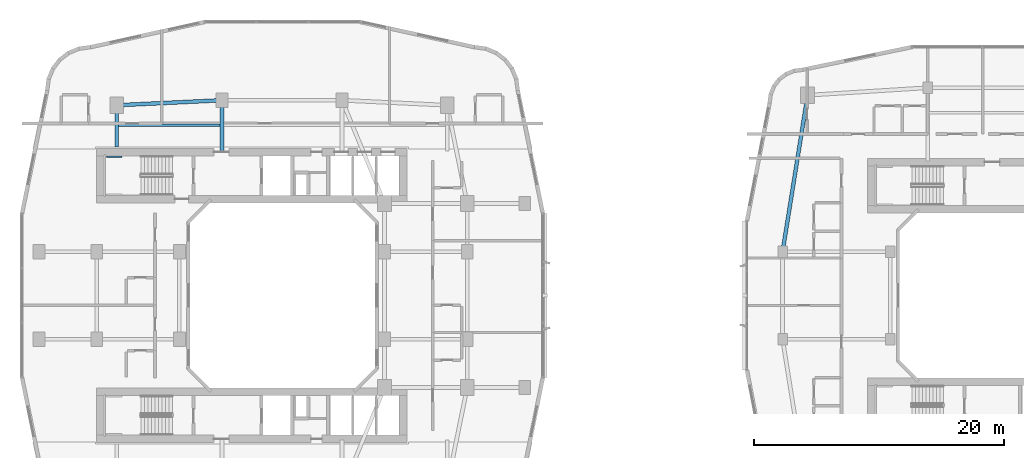
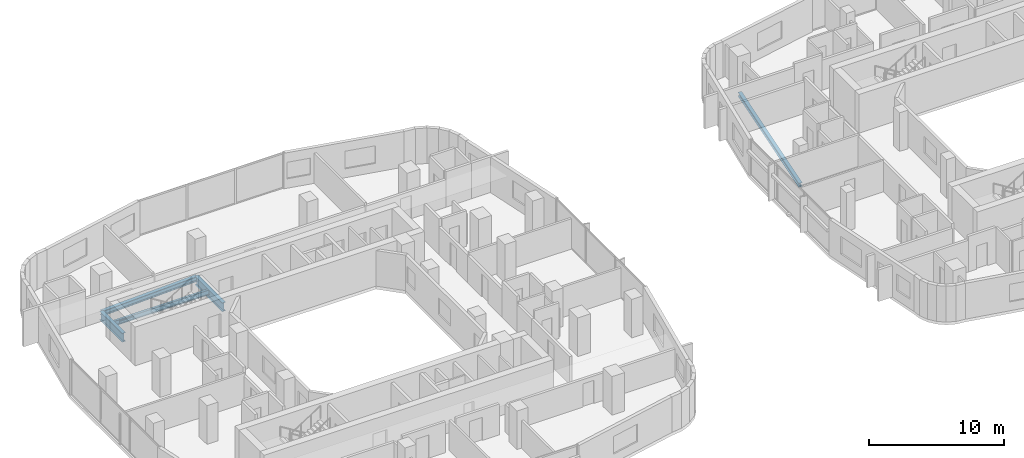
# One storey, part 6 of 26: 6 beams.
"""IFC4 building model written with IfcOpenShell, lengths in metres."""

from ifc_helpers import new_model, si_unit, derived_unit, direction, frame, origin, origin_2d, place, context, subcontext, project, spatial, i_section, extrude, material, material_profile, profile_set, type_object, element, save


model = new_model("IFC4")

# Units and contexts
model_context = context("Model", 3, precision=1e-05, world=origin(), true_north=direction((0.0, 1.0)))
body_context = subcontext(model_context, "Body", "Model", "MODEL_VIEW")
ifc_project = project(units=[si_unit("LENGTHUNIT", "METRE"), si_unit("AREAUNIT", "SQUARE_METRE"), si_unit("VOLUMEUNIT", "CUBIC_METRE"), si_unit("PLANEANGLEUNIT", "RADIAN"), si_unit("MASSUNIT", "GRAM", prefix="KILO"), derived_unit("THERMALTRANSMITTANCEUNIT", [(si_unit("POWERUNIT", "WATT"), 1), (si_unit("LENGTHUNIT", "METRE"), -2), (si_unit("THERMODYNAMICTEMPERATUREUNIT", "KELVIN"), -1)])], contexts=[model_context])

# Site, building, storey
site_placement = place(None, origin())
site = spatial("IfcSite", under=ifc_project, at=site_placement, CompositionType="ELEMENT")
building_placement = place(site_placement, origin())
building = spatial("IfcBuilding", under=site, at=building_placement, Name="Kivonza Crest Hotel", CompositionType="ELEMENT")
storey_placement = place(building_placement, frame((0.0, 0.0, 55.5)))
storey = spatial("IfcBuildingStorey", under=building, at=storey_placement, Name="L14", CompositionType="ELEMENT", Elevation=55.5)

# Beams
ifc_material = material(Name="Steel S355", Category="steel")
ifc_material_profile_1 = material_profile(ifc_material, i_section(OverallWidth=0.300048828125, OverallDepth=0.360107421875, WebThickness=0.012451171875, FlangeThickness=0.0224609375, FilletRadius=0.027099609375, at=origin_2d()), Name="HEB 360")
ifc_profile_set_1 = profile_set([ifc_material_profile_1], Name="Steel S355")
beam_type_1 = type_object("IfcBeamType", Name="BM-HEB360", PredefinedType="SPANDREL", material=ifc_profile_set_1)
beam_1_placement = place(storey_placement, frame((63.0, 41.0, -0.429931640625), z_axis=(-0.157990501107, -0.987440631917, 0.0), x_axis=(0.987440631917, -0.157990501107, 0.0)))
element("IfcBeam", 1, at=beam_1_placement, inside=storey, type_object=beam_type_1, Name="Companion Tower T2 L14 perimeter spandrel NW-W2", PredefinedType="SPANDREL", context=body_context, shape_type="SweptSolid", body=[
    extrude(i_section(OverallWidth=0.300048828125, OverallDepth=0.360107421875, WebThickness=0.012451171875, FlangeThickness=0.0224609375, FilletRadius=0.027099609375, at=origin_2d()), origin(), (0.0, 0.0, 1.0), 12.658935546875),
])
ifc_material_profile_2 = material_profile(ifc_material, i_section(OverallWidth=0.300048828125, OverallDepth=0.449951171875, WebThickness=0.013916015625, FlangeThickness=0.02587890625, FilletRadius=0.027099609375, at=origin_2d()), Name="HEB 450")
ifc_profile_set_2 = profile_set([ifc_material_profile_2], Name="Steel S355")
beam_type_2 = type_object("IfcBeamType", Name="BM-HEB450", PredefinedType="SPANDREL", material=ifc_profile_set_2)
beam_2_placement = place(storey_placement, frame((16.199951171875, 40.60009765625, -0.5048828125), z_axis=(-0.998867283688, -0.047583080799, 0.0), x_axis=(0.047583080799, -0.998867283688, 0.0)))
element("IfcBeam", 2, at=beam_2_placement, inside=storey, type_object=beam_type_2, Name="Tower T1 L14 perimeter spandrel N1-NW", PredefinedType="SPANDREL", context=body_context, shape_type="SweptSolid", body=[
    extrude(i_section(OverallWidth=0.300048828125, OverallDepth=0.449951171875, WebThickness=0.013916015625, FlangeThickness=0.02587890625, FilletRadius=0.027099609375, at=origin_2d()), origin(), (0.0, 0.0, 1.0), 8.409423828125),
])
ifc_material_profile_3 = material_profile(ifc_material, i_section(OverallWidth=0.300048828125, OverallDepth=0.800048828125, WebThickness=0.017578125, FlangeThickness=0.032958984375, FilletRadius=0.030029296875, at=origin_2d()), Name="HEB 800")
ifc_profile_set_3 = profile_set([ifc_material_profile_3], Name="Steel S355")
beam_type_3 = type_object("IfcBeamType", Name="BM-HEB800", PredefinedType="BEAM", material=ifc_profile_set_3)
beam_3_placement = place(storey_placement, frame((7.800048828125, 40.199951171875, -0.679931640625), z_axis=(0.0, -1.0, 0.0), x_axis=(1.0, 0.0, 0.0)))
element("IfcBeam", 3, at=beam_3_placement, inside=storey, type_object=beam_type_3, Name="Tower T1 L14 radial core girder RNW", PredefinedType="BEAM", context=body_context, shape_type="SweptSolid", body=[
    extrude(i_section(OverallWidth=0.300048828125, OverallDepth=0.800048828125, WebThickness=0.017578125, FlangeThickness=0.032958984375, FilletRadius=0.030029296875, at=origin_2d()), origin(), (0.0, 0.0, 1.0), 3.349853515625),
])
beam_4_placement = place(storey_placement, frame((16.199951171875, 40.60009765625, -0.679931640625), z_axis=(0.0, -1.0, 0.0), x_axis=(1.0, 0.0, 0.0)))
element("IfcBeam", 4, at=beam_4_placement, inside=storey, type_object=beam_type_3, Name="Tower T1 L14 radial core girder RN1", PredefinedType="BEAM", context=body_context, shape_type="SweptSolid", body=[
    extrude(i_section(OverallWidth=0.300048828125, OverallDepth=0.800048828125, WebThickness=0.017578125, FlangeThickness=0.032958984375, FilletRadius=0.030029296875, at=origin_2d()), origin(), (0.0, 0.0, 1.0), 4.050048828125),
])
ifc_material_profile_4 = material_profile(ifc_material, i_section(OverallWidth=0.18994140625, OverallDepth=0.449951171875, WebThickness=0.009521484375, FlangeThickness=0.0146484375, FilletRadius=0.02099609375, at=origin_2d()), Name="IPE 450")
ifc_profile_set_4 = profile_set([ifc_material_profile_4], Name="Steel S355")
beam_type_4 = type_object("IfcBeamType", Name="BM-IPE450", PredefinedType="JOIST", material=ifc_profile_set_4)
beam_5_placement = place(storey_placement, frame((7.8798828125, 38.60009765625, -0.5048828125), z_axis=(1.0, 0.0, 0.0), x_axis=(0.0, 1.0, 0.0)))
element("IfcBeam", 5, at=beam_5_placement, inside=storey, type_object=beam_type_4, Name="Tower T1 L14 North-West floor joist", PredefinedType="JOIST", context=body_context, shape_type="SweptSolid", body=[
    extrude(i_section(OverallWidth=0.18994140625, OverallDepth=0.449951171875, WebThickness=0.009521484375, FlangeThickness=0.0146484375, FilletRadius=0.02099609375, at=origin_2d()), origin(), (0.0, 0.0, 1.0), 8.240234375),
])
ifc_material_profile_5 = material_profile(ifc_material, i_section(OverallWidth=0.1201171875, OverallDepth=0.239990234375, WebThickness=0.006103515625, FlangeThickness=0.009765625, FilletRadius=0.014892578125, at=origin_2d()), Name="IPE 240")
ifc_profile_set_5 = profile_set([ifc_material_profile_5], Name="Steel S355")
beam_type_5 = type_object("IfcBeamType", Name="BM-LLDG-240", PredefinedType="BEAM", material=ifc_profile_set_5)
beam_6_placement = place(storey_placement, frame((6.989990234375, 36.10009765625, 1.429931640625), z_axis=(1.0, 0.0, 0.0), x_axis=(0.0, 1.0, 0.0)))
element("IfcBeam", 6, at=beam_6_placement, inside=storey, type_object=beam_type_5, Name="Stair ST-T1-N L14 North landing corbel", PredefinedType="BEAM", context=body_context, shape_type="SweptSolid", body=[
    extrude(i_section(OverallWidth=0.1201171875, OverallDepth=0.239990234375, WebThickness=0.006103515625, FlangeThickness=0.009765625, FilletRadius=0.014892578125, at=origin_2d()), origin(), (0.0, 0.0, 1.0), 1.2099609375),
])

save(model, "model.ifc")
